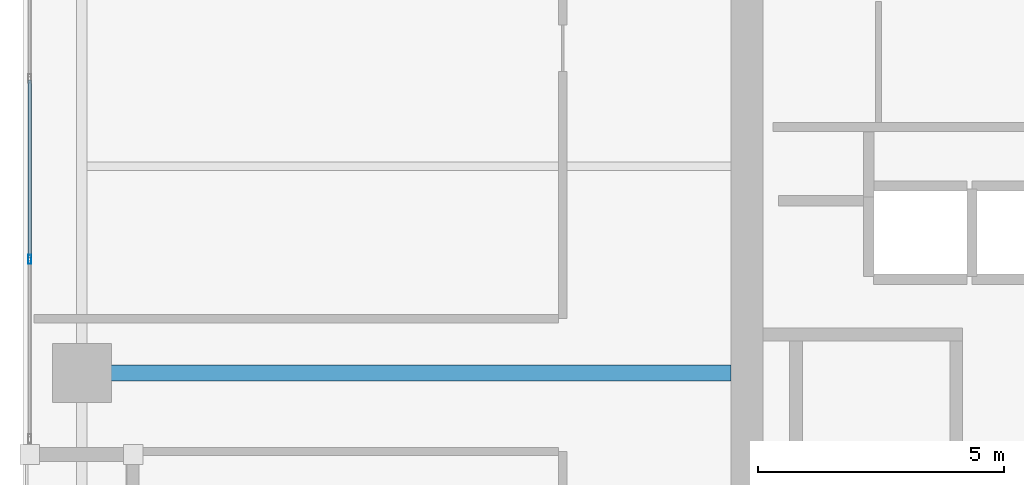
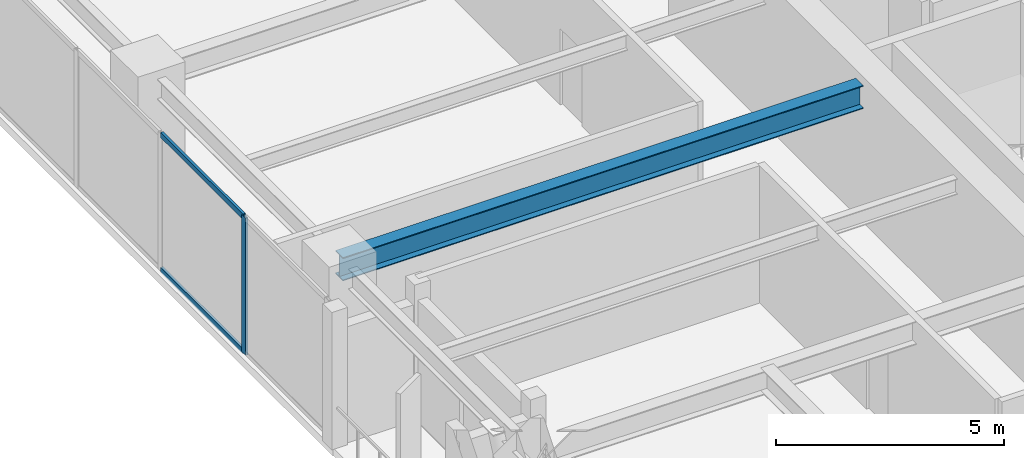
# One storey, part 4 of 30: 3 members, 1 beam, 1 element without a shape of its own.
"""IFC4 building model written with IfcOpenShell, lengths in metres."""

from ifc_helpers import new_model, si_unit, direction, frame, origin, origin_2d, place, context, subcontext, project, spatial, hollow_rectangle, i_section, extrude, material, layer, layer_set, material_profile, profile_set, type_object, element, aggregate, save


model = new_model("IFC4")

# Units and contexts
model_context = context("Model", 3, precision=1e-05, world=origin(), true_north=direction((0.0, 1.0)))
body_context = subcontext(model_context, "Body", "Model", "MODEL_VIEW")
ifc_project = project(units=[si_unit("LENGTHUNIT", "METRE"), si_unit("AREAUNIT", "SQUARE_METRE"), si_unit("VOLUMEUNIT", "CUBIC_METRE"), si_unit("PLANEANGLEUNIT", "RADIAN"), si_unit("MASSUNIT", "GRAM", prefix="KILO")], contexts=[model_context])

# Site, building, storey
site_placement = place(None, origin())
site = spatial("IfcSite", under=ifc_project, at=site_placement, CompositionType="ELEMENT")
building_placement = place(site_placement, origin())
building = spatial("IfcBuilding", under=site, at=building_placement, Name="Kiyonajd Concourse Tower", CompositionType="ELEMENT")
storey_placement = place(building_placement, frame((0.0, 0.0, 201.89990234375)))
storey = spatial("IfcBuildingStorey", under=building, at=storey_placement, Name="L51", CompositionType="ELEMENT", Elevation=201.89990234375)

# Beam
ifc_material_1 = material(Name="Steel ASTM A992 Grade 50", Category="steel")
ifc_material_profile_1 = material_profile(ifc_material_1, i_section(OverallWidth=0.326904296875, OverallDepth=0.6220703125, WebThickness=0.015380859375, FlangeThickness=0.0244140625, at=origin_2d()), Name="W610X195")
ifc_profile_set_1 = profile_set([ifc_material_profile_1], Name="Steel ASTM A992 Grade 50")
beam_type = type_object("IfcBeamType", Name="BM-TWR-610A", PredefinedType="BEAM", material=ifc_profile_set_1)
beam_placement = place(storey_placement, frame((19.199951171875, 36.0, 3.369140625), z_axis=(1.0, 0.0, 0.0), x_axis=(0.0, 1.0, 0.0)))
element("IfcBeam", 1, at=beam_placement, inside=storey, type_object=beam_type, Name="L51 West Lease Girder", PredefinedType="BEAM", context=body_context, shape_type="SweptSolid", body=[
    extrude(i_section(OverallWidth=0.326904296875, OverallDepth=0.6220703125, WebThickness=0.015380859375, FlangeThickness=0.0244140625, at=origin_2d()), origin(), (0.0, 0.0, 1.0), 13.199951171875),
])

# Curtain wall, members
ifc_material_2 = material(Name="Thermally Broken Anodised Aluminium", Category="aluminium")
ifc_layer = layer(ifc_material_2, 0.179931640625)
ifc_layer_set = layer_set([ifc_layer], Name="Thermally Broken Anodised Aluminium")
curtain_wall_type = type_object("IfcCurtainWallType", Name="CW-SYS-03", PredefinedType="NOTDEFINED", material=ifc_layer_set)
curtain_wall_placement = place(storey_placement, origin())
curtain_wall = element("IfcCurtainWall", 2, at=curtain_wall_placement, inside=storey, type_object=curtain_wall_type, Name="L51 Unitised Curtain Wall CW3", PredefinedType="NOTDEFINED")
ifc_material_profile_2 = material_profile(ifc_material_2, hollow_rectangle(XDim=0.06494140625, YDim=0.179931640625, WallThickness=0.00390625, at=origin_2d()), Name="MULL-65x180")
ifc_profile_set_2 = profile_set([ifc_material_profile_2], Name="Thermally Broken Anodised Aluminium")
member_type_1 = type_object("IfcMemberType", Name="MB-CW-MULL1", PredefinedType="MULLION", material=ifc_profile_set_2)
member_1_placement = place(storey_placement, frame((18.139892578125, 38.306884765625, 0.0), z_axis=(0.0, 0.0, 1.0), x_axis=(-1.0, 0.0, 0.0)))
member_1 = element("IfcMember", 3, at=member_1_placement, type_object=member_type_1, Name="CW3 mullion 2", PredefinedType="MULLION", context=body_context, shape_type="SweptSolid", body=[
    extrude(hollow_rectangle(XDim=0.06494140625, YDim=0.179931640625, WallThickness=0.00390625, at=origin_2d()), origin(), (0.0, 0.0, 1.0), 3.68017578125),
])
ifc_material_profile_3 = material_profile(ifc_material_2, hollow_rectangle(XDim=0.06494140625, YDim=0.139892578125, WallThickness=0.00390625, at=origin_2d()), Name="TRAN-65x140")
ifc_profile_set_3 = profile_set([ifc_material_profile_3], Name="Thermally Broken Anodised Aluminium")
member_type_2 = type_object("IfcMemberType", Name="MB-CW-TRAN1", PredefinedType="USERDEFINED", material=ifc_profile_set_3)
member_2_placement = place(storey_placement, frame((18.139892578125, 38.33935546875, 0.03271484375), z_axis=(0.0, 1.0, 0.0), x_axis=(-1.0, 0.0, 0.0)))
member_2 = element("IfcMember", 4, at=member_2_placement, type_object=member_type_2, Name="CW3 transom 2.1", ObjectType="TRANSOM", PredefinedType="USERDEFINED", context=body_context, shape_type="SweptSolid", body=[
    extrude(hollow_rectangle(XDim=0.06494140625, YDim=0.139892578125, WallThickness=0.00390625, at=origin_2d()), origin(), (0.0, 0.0, 1.0), 3.612060546875),
])
member_3_placement = place(storey_placement, frame((18.139892578125, 38.33935546875, 3.647705078125), z_axis=(0.0, 1.0, 0.0), x_axis=(-1.0, 0.0, 0.0)))
member_3 = element("IfcMember", 5, at=member_3_placement, type_object=member_type_2, Name="CW3 transom 2.2", ObjectType="TRANSOM", PredefinedType="USERDEFINED", context=body_context, shape_type="SweptSolid", body=[
    extrude(hollow_rectangle(XDim=0.06494140625, YDim=0.139892578125, WallThickness=0.00390625, at=origin_2d()), origin(), (0.0, 0.0, 1.0), 3.612060546875),
])
aggregate(curtain_wall, [member_1, member_2, member_3])

save(model, "model.ifc")
